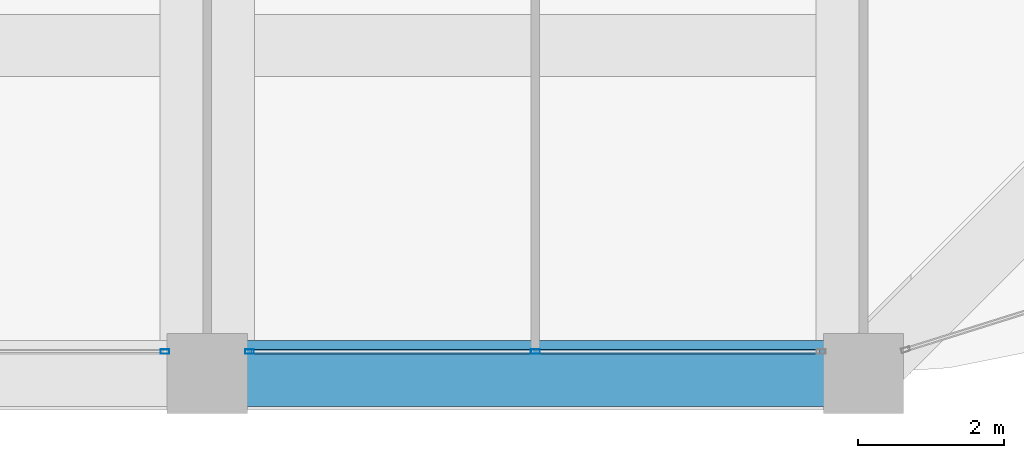
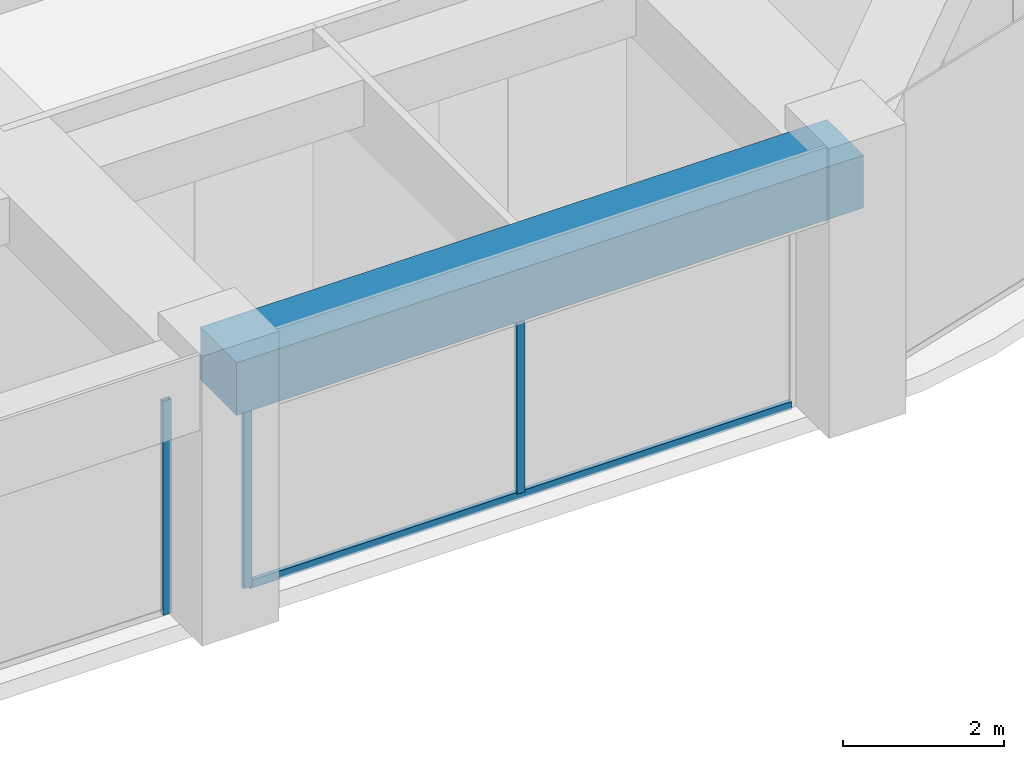
# One storey, part 11 of 44: 4 members, 1 beam, 2 elements without a shape of their own.
"""IFC4 building model written with IfcOpenShell, lengths in metres."""

import ifcopenshell
import ifcopenshell.guid

model = None  # the IFC model being written
_history = None  # IfcOwnerHistory: only IFC2X3 demands one
_inside = {}  # id of a spatial element -> (the spatial element, [elements in it])
_under = {}  # id of a project, library or spatial element -> (it, [spatial elements below it])
_declared = {}  # id of a project -> (the project, [libraries it declares])
_typed = {}  # id of a type object -> (the type object, [elements of that type])
_made_of = {}  # id of a material, layer set ... -> (it, [elements and type objects made of it])


def new_model(schema):
    """Start an empty IFC model of exactly this schema.

    Asked for "IFC4X3", IfcOpenShell would pick the latest addendum, in which some entities
    have other attributes; the version numbers below select the first issue.
    IFC2X3 requires an IfcOwnerHistory on every rooted entity: one is made here for all.
    """
    global model, _history
    if schema == "IFC4X3":
        model = ifcopenshell.file(schema_version=(4, 3, 0, 0))
    else:
        model = ifcopenshell.file(schema=schema)
    _inside.clear()
    _under.clear()
    _declared.clear()
    _typed.clear()
    _made_of.clear()
    _history = None
    if model.schema == "IFC2X3":
        org = make("IfcOrganization", Name="unknown")
        user = make(
            "IfcPersonAndOrganization",
            ThePerson=make("IfcPerson", FamilyName="unknown"),
            TheOrganization=org,
        )
        app = make(
            "IfcApplication",
            ApplicationDeveloper=org,
            Version="unknown",
            ApplicationFullName="unknown",
            ApplicationIdentifier="unknown",
        )
        _history = make(
            "IfcOwnerHistory",
            OwningUser=user,
            OwningApplication=app,
            ChangeAction="ADDED",
            CreationDate=0,
        )
    return model


def make(cls, **values):
    """One entity of the class cls with the attributes given. An attribute that is None is left unset."""
    return model.create_entity(
        cls, **{name: value for name, value in values.items() if value is not None}
    )


def rooted(cls, **values):
    """An entity with a GlobalId (a new one), such as an element, a storey or a relation."""
    return make(cls, GlobalId=ifcopenshell.guid.new(), OwnerHistory=_history, **values)


def si_unit(unit_type, name, prefix=None):
    """IfcSIUnit, for example si_unit("LENGTHUNIT", "METRE", prefix="MILLI")."""
    return make("IfcSIUnit", UnitType=unit_type, Prefix=prefix, Name=name)


def assignment(units):
    """IfcUnitAssignment: the units of a project."""
    return None if units is None else make("IfcUnitAssignment", Units=units)


def point(xyz):
    """IfcCartesianPoint."""
    return None if xyz is None else make("IfcCartesianPoint", Coordinates=xyz)


def direction(xyz):
    """IfcDirection."""
    return None if xyz is None else make("IfcDirection", DirectionRatios=xyz)


def frame(location, z_axis=None, x_axis=None):
    """IfcAxis2Placement3D, a coordinate frame: its origin and axes. An axis left out is left unset."""
    return make(
        "IfcAxis2Placement3D",
        Location=point(location),
        Axis=direction(z_axis),
        RefDirection=direction(x_axis),
    )


def frame_2d(location, x_axis=None):
    """IfcAxis2Placement2D, a coordinate frame in the plane: its origin and x axis."""
    return make(
        "IfcAxis2Placement2D", Location=point(location), RefDirection=direction(x_axis)
    )


def origin():
    """The frame at (0, 0, 0) with its axes left unset."""
    return frame((0.0, 0.0, 0.0))


def origin_2d():
    """The frame at (0, 0) in the plane with its x axis left unset."""
    return frame_2d((0.0, 0.0))


def place(relative_to, where):
    """IfcLocalPlacement: puts the frame where relative to a parent placement (None: the world)."""
    return make(
        "IfcLocalPlacement", PlacementRelTo=relative_to, RelativePlacement=where
    )


def context(
    kind, dimensions, precision=None, world=None, true_north=None, identifier=None
):
    """IfcGeometricRepresentationContext, for example the 3D "Model" context."""
    return make(
        "IfcGeometricRepresentationContext",
        ContextIdentifier=identifier,
        ContextType=kind,
        CoordinateSpaceDimension=dimensions,
        Precision=precision,
        WorldCoordinateSystem=world,
        TrueNorth=true_north,
    )


def subcontext(parent, identifier, kind, view, scale=None):
    """IfcGeometricRepresentationSubContext, for example "Body" below "Model"."""
    return make(
        "IfcGeometricRepresentationSubContext",
        ContextIdentifier=identifier,
        ContextType=kind,
        ParentContext=parent,
        TargetScale=scale,
        TargetView=view,
    )


def project(units=None, contexts=None):
    """IfcProject with its units and contexts."""
    return rooted(
        "IfcProject",
        Name="project",
        RepresentationContexts=contexts,
        UnitsInContext=assignment(units),
    )


def spatial(cls, under=None, at=None, **own):
    """A site, building, storey or space (cls), placed at a placement, below another one or the project."""
    s = rooted(cls, ObjectPlacement=at, **own)
    if under is not None:
        _under.setdefault(under.id(), (under, []))[1].append(s)
    return s


def profile(cls, at=None, kind="AREA", **sizes):
    """A parametric profile (cls). Its sizes go by their IFC names, for example OverallWidth=200.0."""
    return make(cls, ProfileType=kind, Position=at, **sizes)


def rectangle(**sizes):
    """IfcRectangleProfileDef."""
    return profile("IfcRectangleProfileDef", **sizes)


def hollow_rectangle(**sizes):
    """IfcRectangleHollowProfileDef."""
    return profile("IfcRectangleHollowProfileDef", **sizes)


def extrude(swept, where, along, depth):
    """IfcExtrudedAreaSolid: the profile swept, set in the frame where, extruded along a direction by depth."""
    return make(
        "IfcExtrudedAreaSolid",
        SweptArea=swept,
        Position=where,
        ExtrudedDirection=direction(along),
        Depth=depth,
    )


def shape(context_of_items, identifier, shape_type, items):
    """IfcShapeRepresentation: the items that make up one representation, for example the "Body"."""
    return make(
        "IfcShapeRepresentation",
        ContextOfItems=context_of_items,
        RepresentationIdentifier=identifier,
        RepresentationType=shape_type,
        Items=items,
    )


def material(Name=None, Category=None):
    """IfcMaterial."""
    return make("IfcMaterial", Name=Name, Category=Category)


def material_profile(
    of_material, cross_section, Name=None, Category=None, Priority=None
):
    """IfcMaterialProfile: a cross section and its material."""
    return make(
        "IfcMaterialProfile",
        Name=Name,
        Material=of_material,
        Profile=cross_section,
        Priority=Priority,
        Category=Category,
    )


def profile_set(profiles, Name=None, composite=None):
    """IfcMaterialProfileSet."""
    return make(
        "IfcMaterialProfileSet",
        Name=Name,
        MaterialProfiles=profiles,
        CompositeProfile=composite,
    )


def made_of(thing, what):
    """Note that an element or type object is made of a material, layer set ...; save() writes the relation."""
    if what is not None:
        _made_of.setdefault(what.id(), (what, []))[1].append(thing)
    return thing


def type_object(cls, material=None, **own):
    """A type object (cls), such as IfcWallType, which elements share."""
    return made_of(rooted(cls, **own), material)


def element(
    cls,
    number,
    at=None,
    inside=None,
    cuts=None,
    type_object=None,
    material=None,
    context=None,
    identifier="Body",
    shape_type=None,
    held_by="IfcProductDefinitionShape",
    body=None,
    shapes=None,
    **own,
):
    """One element of the class cls, such as IfcWall. Its Tag is "e" and its number.

    at: its placement. inside: the storey or other place that contains it. cuts: it is an
    opening in that element (IfcRelVoidsElement). A single representation is given by context,
    identifier, shape_type and body (its items); several are given by shapes. held_by: the class
    of the entity that holds the representations. save() writes the other relations.
    """
    e = rooted(cls, Tag="e%d" % number, ObjectPlacement=at, **own)
    if body is not None:
        shapes = [shape(context, identifier, shape_type, body)]
    if shapes is not None:
        e.Representation = make(held_by, Representations=shapes)
    if inside is not None:
        _inside.setdefault(inside.id(), (inside, []))[1].append(e)
    if cuts is not None:
        rooted(
            "IfcRelVoidsElement", RelatingBuildingElement=cuts, RelatedOpeningElement=e
        )
    if type_object is not None:
        _typed.setdefault(type_object.id(), (type_object, []))[1].append(e)
    return made_of(e, material)


def aggregate(whole, parts):
    """IfcRelAggregates: a whole, such as a stair, and the parts it consists of."""
    return rooted("IfcRelAggregates", RelatingObject=whole, RelatedObjects=parts)


def save(model, path):
    """Write the relations noted so far, then the file.

    IfcRelAggregates (storeys below a building ...), IfcRelContainedInSpatialStructure (elements
    in a storey), IfcRelDefinesByType, IfcRelAssociatesMaterial and IfcRelDeclares: one each for
    every whole, place, type object, material and project.
    """
    for whole, parts in _under.values():
        aggregate(whole, parts)
    for where, things in _inside.values():
        rooted(
            "IfcRelContainedInSpatialStructure",
            RelatedElements=things,
            RelatingStructure=where,
        )
    for kind, things in _typed.values():
        rooted("IfcRelDefinesByType", RelatedObjects=things, RelatingType=kind)
    for what, things in _made_of.values():
        rooted("IfcRelAssociatesMaterial", RelatedObjects=things, RelatingMaterial=what)
    for by, libraries in _declared.values():
        rooted("IfcRelDeclares", RelatingContext=by, RelatedDefinitions=libraries)
    model.write(path)


model = new_model("IFC4")

# Units and contexts
model_context = context("Model", 3, precision=1e-05, world=origin(), true_north=direction((0.0, 1.0)))
body_context = subcontext(model_context, "Body", "Model", "MODEL_VIEW")
ifc_project = project(units=[si_unit("LENGTHUNIT", "METRE"), si_unit("AREAUNIT", "SQUARE_METRE"), si_unit("VOLUMEUNIT", "CUBIC_METRE"), si_unit("PLANEANGLEUNIT", "RADIAN"), si_unit("MASSUNIT", "GRAM", prefix="KILO")], contexts=[model_context])

# Site, building, storey
site_placement = place(None, origin())
site = spatial("IfcSite", under=ifc_project, at=site_placement, CompositionType="ELEMENT")
building_placement = place(site_placement, origin())
building = spatial("IfcBuilding", under=site, at=building_placement, Name="Zorevar Civic Tower", CompositionType="ELEMENT")
storey_placement = place(building_placement, frame((0.0, 0.0, 307.39990234375)))
storey = spatial("IfcBuildingStorey", under=building, at=storey_placement, Name="L75", CompositionType="ELEMENT", Elevation=307.39990234375)

# Curtain wall, member
ifc_material_1 = material(Name="Dark grey solar-control glass in black aluminium frame", Category="aluminium")
curtain_wall_type = type_object("IfcCurtainWallType", Name="Curtain wall CW5 top zone", PredefinedType="NOTDEFINED", material=ifc_material_1)
curtain_wall_1_placement = place(storey_placement, origin())
curtain_wall_1 = element("IfcCurtainWall", 1, at=curtain_wall_1_placement, inside=storey, type_object=curtain_wall_type, Name="CW5 L75", PredefinedType="NOTDEFINED")
ifc_material_2 = material(Name="Aluminium, black anodised", Category="aluminium")
ifc_material_profile_1 = material_profile(ifc_material_2, hollow_rectangle(XDim=0.06005859375, YDim=0.1201171875, WallThickness=0.0029296875, at=origin_2d()), Name="AL 120x60x3")
ifc_profile_set_1 = profile_set([ifc_material_profile_1], Name="Aluminium, black anodised")
member_type_1 = type_object("IfcMemberType", Name="CW5 mullion AL 120x60x3", PredefinedType="MULLION", material=ifc_profile_set_1)
member_1_placement = place(storey_placement, frame((35.419921875, 0.300048828125, 0.0), z_axis=(0.0, 0.0, 1.0), x_axis=(0.0, 1.0, 0.0)))
member_1 = element("IfcMember", 2, at=member_1_placement, type_object=member_type_1, Name="CW5 mullion 3", PredefinedType="MULLION", context=body_context, shape_type="SweptSolid", body=[
    extrude(hollow_rectangle(XDim=0.06005859375, YDim=0.1201171875, WallThickness=0.0029296875, at=origin_2d()), origin(), (0.0, 0.0, 1.0), 3.25),
])
aggregate(curtain_wall_1, [member_1])

# Curtain wall, members
curtain_wall_2_placement = place(storey_placement, origin())
curtain_wall_2 = element("IfcCurtainWall", 3, at=curtain_wall_2_placement, inside=storey, type_object=curtain_wall_type, Name="CW5 L75", PredefinedType="NOTDEFINED")
member_2_placement = place(storey_placement, frame((36.580078125, 0.300048828125, 0.0), z_axis=(0.0, 0.0, 1.0), x_axis=(0.0, 1.0, 0.0)))
member_2 = element("IfcMember", 4, at=member_2_placement, type_object=member_type_1, Name="CW5 mullion 1", PredefinedType="MULLION", context=body_context, shape_type="SweptSolid", body=[
    extrude(hollow_rectangle(XDim=0.06005859375, YDim=0.1201171875, WallThickness=0.0029296875, at=origin_2d()), origin(), (0.0, 0.0, 1.0), 3.25),
])
member_3_placement = place(storey_placement, frame((40.5, 0.300048828125, 0.06005859375), z_axis=(0.0, 0.0, 1.0), x_axis=(0.0, 1.0, 0.0)))
member_3 = element("IfcMember", 5, at=member_3_placement, type_object=member_type_1, Name="CW5 mullion 2", PredefinedType="MULLION", context=body_context, shape_type="SweptSolid", body=[
    extrude(hollow_rectangle(XDim=0.06005859375, YDim=0.1201171875, WallThickness=0.0029296875, at=origin_2d()), origin(), (0.0, 0.0, 1.0), 3.18994140625),
])
ifc_material_3 = material(Name="Aluminium, black anodised", Category="aluminium")
ifc_material_profile_2 = material_profile(ifc_material_3, hollow_rectangle(XDim=0.06005859375, YDim=0.1201171875, WallThickness=0.0029296875, at=origin_2d()), Name="AL 120x60x3")
ifc_profile_set_2 = profile_set([ifc_material_profile_2], Name="Aluminium, black anodised")
member_type_2 = type_object("IfcMemberType", Name="CW5 transom AL 120x60x3", PredefinedType="USERDEFINED", material=ifc_profile_set_2)
member_4_placement = place(storey_placement, frame((36.610107421875, 0.300048828125, 0.030029296875), z_axis=(1.0, 0.0, 0.0), x_axis=(0.0, 1.0, 0.0)))
member_4 = element("IfcMember", 6, at=member_4_placement, type_object=member_type_2, Name="CW5 sill transom", ObjectType="TRANSOM", PredefinedType="USERDEFINED", context=body_context, shape_type="SweptSolid", body=[
    extrude(hollow_rectangle(XDim=0.06005859375, YDim=0.1201171875, WallThickness=0.0029296875, at=origin_2d()), origin(), (0.0, 0.0, 1.0), 7.77978515625),
])
aggregate(curtain_wall_2, [member_2, member_3, member_4])

# Beam
ifc_material_4 = material(Name="Concrete C50/60", Category="concrete")
ifc_material_profile_3 = material_profile(ifc_material_4, rectangle(XDim=0.89990234375, YDim=0.800048828125, at=origin_2d()), Name="RC 900x800")
ifc_profile_set_3 = profile_set([ifc_material_profile_3], Name="Concrete C50/60")
beam_type = type_object("IfcBeamType", Name="Edge beam RC 900x800", PredefinedType="SPANDREL", material=ifc_profile_set_3)
beam_placement = place(storey_placement, frame((36.0, 0.0, 3.650146484375), z_axis=(1.0, 0.0, 0.0), x_axis=(0.0, 1.0, 0.0)))
element("IfcBeam", 7, at=beam_placement, inside=storey, type_object=beam_type, Name="Edge beam RF", PredefinedType="SPANDREL", context=body_context, shape_type="SweptSolid", body=[
    extrude(rectangle(XDim=0.89990234375, YDim=0.800048828125, at=origin_2d()), origin(), (0.0, 0.0, 1.0), 9.0),
])

save(model, "model.ifc")
